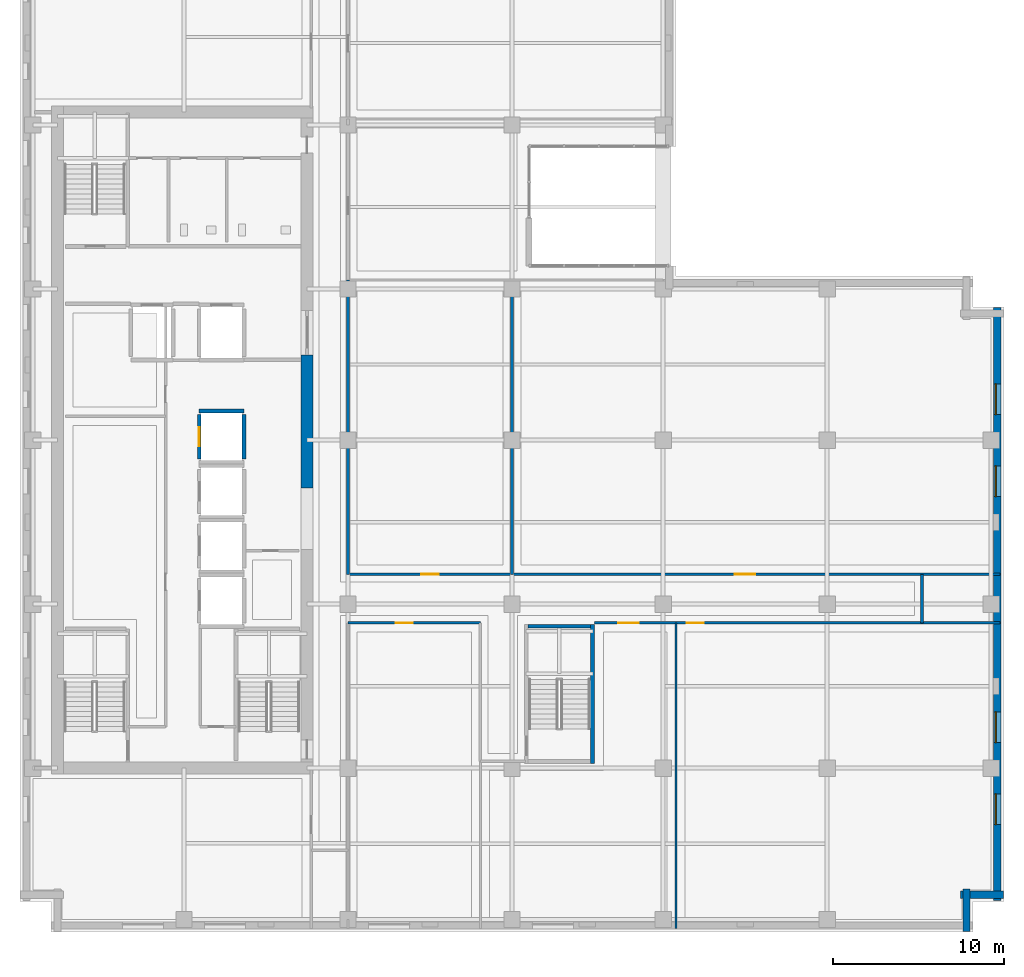
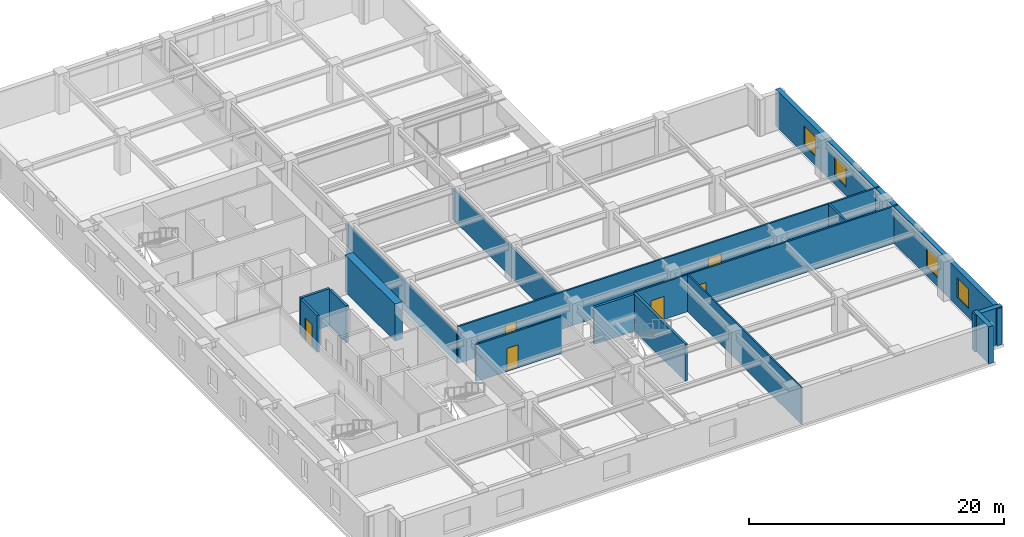
# One storey, part 5 of 13: 16 walls, 6 doors, 4 windows, 10 openings.
"""IFC4 building model written with IfcOpenShell, lengths in metres."""

from ifc_helpers import new_model, si_unit, direction, frame, frame_2d, origin, place, context, subcontext, project, spatial, rectangle, extrude, material, layer, layer_set, type_object, element, fill, save


model = new_model("IFC4")

# Units and contexts
model_context = context("Model", 3, precision=1e-05, world=origin(), true_north=direction((0.0, 1.0)))
body_context = subcontext(model_context, "Body", "Model", "MODEL_VIEW")
ifc_project = project(units=[si_unit("LENGTHUNIT", "METRE"), si_unit("AREAUNIT", "SQUARE_METRE"), si_unit("VOLUMEUNIT", "CUBIC_METRE"), si_unit("PLANEANGLEUNIT", "RADIAN"), si_unit("MASSUNIT", "GRAM", prefix="KILO")], contexts=[model_context])

# Site, building, storey
site_placement = place(None, origin())
site = spatial("IfcSite", under=ifc_project, at=site_placement, CompositionType="ELEMENT")
building_placement = place(site_placement, origin())
building = spatial("IfcBuilding", under=site, at=building_placement, Name="Norrvale University Quadrangle", CompositionType="ELEMENT")
storey_placement = place(building_placement, frame((0.0, 0.0, 171.199951171875)))
storey = spatial("IfcBuildingStorey", under=building, at=storey_placement, Name="L43", CompositionType="ELEMENT", Elevation=171.199951171875)

# Walls
ifc_material_1 = material(Name="Buff Norman Clay Brick Masonry", Category="masonry")
ifc_layer_1 = layer(ifc_material_1, 0.419921875, Name="Buff Norman Clay Brick Masonry")
ifc_layer_set_1 = layer_set([ifc_layer_1], Name="Buff Norman Clay Brick Masonry")
wall_type_1 = type_object("IfcWallType", Name="Wall Buff Brick 420", PredefinedType="SOLIDWALL", material=ifc_layer_set_1)
for number, where, z_axis, x_axis, name in (
    (1, (55.409912109375, 0.0400390625, 0.0), (0.0, 0.0, 1.0), (0.0, 1.0, 0.0), "Exterior Brick Facade Wall L43-02.1"),
    (2, (55.06005859375, 2.18994140625, 0.0), (0.0, 0.0, 1.0), (1.0, 0.0, 0.0), "Exterior Brick Facade Wall L43-03.1"),
):
    element("IfcWall", number, at=place(storey_placement, frame(where, z_axis=z_axis, x_axis=x_axis)), inside=storey, type_object=wall_type_1, Name=name, PredefinedType="SOLIDWALL", context=body_context, shape_type="SweptSolid", body=[
        extrude(rectangle(XDim=2.5, YDim=0.419921875, at=frame_2d((1.25, 0.0))), origin(), (0.0, 0.0, 1.0), 3.5400390625),
    ])

# Wall, openings, windows
wall_1_placement = place(storey_placement, frame((57.2099609375, 1.840087890625, 0.0), z_axis=(0.0, 0.0, 1.0), x_axis=(0.0, 1.0, 0.0)))
wall_1 = element("IfcWall", 3, at=wall_1_placement, inside=storey, type_object=wall_type_1, Name="Exterior Brick Facade Wall L43-04.1", PredefinedType="SOLIDWALL", context=body_context, shape_type="SweptSolid", body=[
    extrude(rectangle(XDim=34.719970703125, YDim=0.419921875, at=frame_2d((17.35986328125, 0.0))), origin(), (0.0, 0.0, 1.0), 3.5400390625),
])
opening_1_placement = place(wall_1_placement, frame((4.4599609375, 0.0, 0.85009765625)))
opening_1 = element("IfcOpeningElement", 4, at=opening_1_placement, cuts=wall_1, Name="Opening W01", PredefinedType="OPENING", context=body_context, shape_type="SweptSolid", body=[
    extrude(rectangle(XDim=1.800048828125, YDim=1.85009765625, at=frame_2d((0.89990234375, 0.925048828125))), frame((0.0, 0.221923828125, 0.0), z_axis=(0.0, -1.0, 0.0), x_axis=(1.0, 0.0, 0.0)), (0.0, 0.0, 1.0), 0.44384765625),
])
opening_2_placement = place(wall_1_placement, frame((9.260009765625, 0.0, 0.85009765625)))
opening_2 = element("IfcOpeningElement", 5, at=opening_2_placement, cuts=wall_1, Name="Opening W01", PredefinedType="OPENING", context=body_context, shape_type="SweptSolid", body=[
    extrude(rectangle(XDim=1.800048828125, YDim=1.85009765625, at=frame_2d((0.89990234375, 0.925048828125))), frame((0.0, 0.221923828125, 0.0), z_axis=(0.0, -1.0, 0.0), x_axis=(1.0, 0.0, 0.0)), (0.0, 0.0, 1.0), 0.44384765625),
])
opening_3_placement = place(wall_1_placement, frame((23.659912109375, 0.0, 0.85009765625)))
opening_3 = element("IfcOpeningElement", 6, at=opening_3_placement, cuts=wall_1, Name="Opening W01", PredefinedType="OPENING", context=body_context, shape_type="SweptSolid", body=[
    extrude(rectangle(XDim=1.800048828125, YDim=1.85009765625, at=frame_2d((0.89990234375, 0.925048828125))), frame((0.0, 0.221923828125, 0.0), z_axis=(0.0, -1.0, 0.0), x_axis=(1.0, 0.0, 0.0)), (0.0, 0.0, 1.0), 0.44384765625),
])
opening_4_placement = place(wall_1_placement, frame((28.4599609375, 0.0, 0.85009765625)))
opening_4 = element("IfcOpeningElement", 7, at=opening_4_placement, cuts=wall_1, Name="Opening W01", PredefinedType="OPENING", context=body_context, shape_type="SweptSolid", body=[
    extrude(rectangle(XDim=1.800048828125, YDim=1.85009765625, at=frame_2d((0.89990234375, 0.925048828125))), frame((0.0, 0.221923828125, 0.0), z_axis=(0.0, -1.0, 0.0), x_axis=(1.0, 0.0, 0.0)), (0.0, 0.0, 1.0), 0.44384765625),
])
ifc_material_2 = material(Name="Triple Low-E Argon Glazing", Category="glass")
window_type = type_object("IfcWindowType", Name="Window Academic 1800x2300", PartitioningType="DOUBLE_PANEL_VERTICAL", PredefinedType="WINDOW", material=ifc_material_2)
window_1_placement = place(opening_1_placement, origin())
window_1 = element("IfcWindow", 8, at=window_1_placement, inside=storey, type_object=window_type, Name="Window Academic 1800x2300 WIN-L43-E04-1-01", OverallHeight=1.85009765625, OverallWidth=1.800048828125, PartitioningType="DOUBLE_PANEL_VERTICAL", PredefinedType="WINDOW", context=body_context, shape_type="SweptSolid", body=[
    extrude(rectangle(XDim=1.800048828125, YDim=1.85009765625, at=frame_2d((0.89990234375, 0.925048828125))), frame((0.0, 0.110107421875, 0.0), z_axis=(0.0, -1.0, 0.0), x_axis=(1.0, 0.0, 0.0)), (0.0, 0.0, 1.0), 0.06005859375),
])
fill(opening_1, window_1)
window_2_placement = place(opening_2_placement, origin())
window_2 = element("IfcWindow", 9, at=window_2_placement, inside=storey, type_object=window_type, Name="Window Academic 1800x2300 WIN-L43-E04-1-02", OverallHeight=1.85009765625, OverallWidth=1.800048828125, PartitioningType="DOUBLE_PANEL_VERTICAL", PredefinedType="WINDOW", context=body_context, shape_type="SweptSolid", body=[
    extrude(rectangle(XDim=1.800048828125, YDim=1.85009765625, at=frame_2d((0.89990234375, 0.925048828125))), frame((0.0, 0.110107421875, 0.0), z_axis=(0.0, -1.0, 0.0), x_axis=(1.0, 0.0, 0.0)), (0.0, 0.0, 1.0), 0.06005859375),
])
fill(opening_2, window_2)
window_3_placement = place(opening_3_placement, origin())
window_3 = element("IfcWindow", 10, at=window_3_placement, inside=storey, type_object=window_type, Name="Window Academic 1800x2300 WIN-L43-E04-1-03", OverallHeight=1.85009765625, OverallWidth=1.800048828125, PartitioningType="DOUBLE_PANEL_VERTICAL", PredefinedType="WINDOW", context=body_context, shape_type="SweptSolid", body=[
    extrude(rectangle(XDim=1.800048828125, YDim=1.85009765625, at=frame_2d((0.89990234375, 0.925048828125))), frame((0.0, 0.110107421875, 0.0), z_axis=(0.0, -1.0, 0.0), x_axis=(1.0, 0.0, 0.0)), (0.0, 0.0, 1.0), 0.06005859375),
])
fill(opening_3, window_3)
window_4_placement = place(opening_4_placement, origin())
window_4 = element("IfcWindow", 11, at=window_4_placement, inside=storey, type_object=window_type, Name="Window Academic 1800x2300 WIN-L43-E04-1-04", OverallHeight=1.85009765625, OverallWidth=1.800048828125, PartitioningType="DOUBLE_PANEL_VERTICAL", PredefinedType="WINDOW", context=body_context, shape_type="SweptSolid", body=[
    extrude(rectangle(XDim=1.800048828125, YDim=1.85009765625, at=frame_2d((0.89990234375, 0.925048828125))), frame((0.0, 0.110107421875, 0.0), z_axis=(0.0, -1.0, 0.0), x_axis=(1.0, 0.0, 0.0)), (0.0, 0.0, 1.0), 0.06005859375),
])
fill(opening_4, window_4)

# Walls
ifc_material_3 = material(Name="Concrete C60/75", Category="concrete")
ifc_layer_2 = layer(ifc_material_3, 0.699951171875, Name="Concrete C60/75")
ifc_layer_set_2 = layer_set([ifc_layer_2], Name="Concrete C60/75")
wall_type_2 = type_object("IfcWallType", Name="Wall Core 700", PredefinedType="SHEAR", material=ifc_layer_set_2)
wall_2_placement = place(storey_placement, frame((16.800048828125, 26.0, 0.0), z_axis=(0.0, 0.0, 1.0), x_axis=(0.0, 1.0, 0.0)))
element("IfcWall", 12, at=wall_2_placement, inside=storey, type_object=wall_type_2, Name="Tower Core Shear Wall L43-E2", PredefinedType="SHEAR", context=body_context, shape_type="SweptSolid", body=[
    extrude(rectangle(XDim=7.800048828125, YDim=0.699951171875, at=frame_2d((3.89990234375, 0.0))), origin(), (0.0, 0.0, 1.0), 3.5400390625),
])
ifc_material_4 = material(Name="Standard Academic Gypsum Partition")
ifc_layer_3 = layer(ifc_material_4, 0.125, Name="Standard Academic Gypsum Partition")
ifc_layer_set_3 = layer_set([ifc_layer_3], Name="Standard Academic Gypsum Partition")
wall_type_3 = type_object("IfcWallType", Name="Wall Gypsum Academic 125", PredefinedType="PARTITIONING", material=ifc_layer_set_3)
wall_3_placement = place(storey_placement, frame((38.39990234375, 0.219970703125, 0.0), z_axis=(0.0, 0.0, 1.0), x_axis=(0.0, 1.0, 0.0)))
element("IfcWall", 13, at=wall_3_placement, inside=storey, type_object=wall_type_3, Name="Interior Partition WL-L43-SEP2", PredefinedType="PARTITIONING", context=body_context, shape_type="SweptSolid", body=[
    extrude(rectangle(XDim=17.880126953125, YDim=0.125, at=frame_2d((8.93994140625, 0.0))), origin(), (0.0, 0.0, 1.0), 3.5400390625),
])
ifc_material_5 = material(Name="Fire-Rated Gypsum Stud Partition")
ifc_layer_4 = layer(ifc_material_5, 0.14990234375, Name="Fire-Rated Gypsum Stud Partition")
ifc_layer_set_4 = layer_set([ifc_layer_4], Name="Fire-Rated Gypsum Stud Partition")
wall_type_4 = type_object("IfcWallType", Name="Wall Gypsum Corridor 150", PredefinedType="PARTITIONING", material=ifc_layer_set_4)
wall_4_placement = place(storey_placement, frame((52.800048828125, 18.10009765625, 0.0), z_axis=(0.0, 0.0, 1.0), x_axis=(0.0, 1.0, 0.0)))
element("IfcWall", 14, at=wall_4_placement, inside=storey, type_object=wall_type_4, Name="Interior Partition WL-L43-CESP-E", PredefinedType="PARTITIONING", context=body_context, shape_type="SweptSolid", body=[
    extrude(rectangle(XDim=2.849853515625, YDim=0.14990234375, at=frame_2d((1.4248046875, 0.0))), origin(), (0.0, 0.0, 1.0), 3.5400390625),
])

# Wall, opening, door
wall_5_placement = place(storey_placement, frame((19.199951171875, 18.10009765625, 0.0), z_axis=(0.0, 0.0, 1.0), x_axis=(1.0, 0.0, 0.0)))
wall_5 = element("IfcWall", 15, at=wall_5_placement, inside=storey, type_object=wall_type_4, Name="Interior Partition WL-L43-SEW1", PredefinedType="PARTITIONING", context=body_context, shape_type="SweptSolid", body=[
    extrude(rectangle(XDim=7.75, YDim=0.14990234375, at=frame_2d((3.875, 0.0))), origin(), (0.0, 0.0, 1.0), 3.5400390625),
])
opening_5_placement = place(wall_5_placement, frame((2.800048828125, 0.0, 0.0)))
opening_5 = element("IfcOpeningElement", 16, at=opening_5_placement, cuts=wall_5, Name="Opening D04", PredefinedType="OPENING", context=body_context, shape_type="SweptSolid", body=[
    extrude(rectangle(XDim=1.0, YDim=2.199951171875, at=frame_2d((0.5, 1.10009765625))), frame((0.0, 0.0869140625, 0.0), z_axis=(0.0, -1.0, 0.0), x_axis=(1.0, 0.0, 0.0)), (0.0, 0.0, 1.0), 0.173828125),
])
ifc_material_6 = material(Name="Solid-Core Oak Fire Door", Category="wood")
door_type_1 = type_object("IfcDoorType", Name="Door Corridor 1000x2200", OperationType="NOTDEFINED", PredefinedType="DOOR", material=ifc_material_6)
door_1_placement = place(opening_5_placement, origin())
door_1 = element("IfcDoor", 17, at=door_1_placement, inside=storey, type_object=door_type_1, Name="Door Corridor 1000x2200 DR-L43-SE1", OperationType="SINGLE_SWING_LEFT", OverallHeight=2.199951171875, OverallWidth=1.0, PredefinedType="DOOR", context=body_context, shape_type="SweptSolid", body=[
    extrude(rectangle(XDim=1.0, YDim=2.199951171875, at=frame_2d((0.5, 1.10009765625))), frame((0.0, 0.02490234375, 0.0), z_axis=(0.0, -1.0, 0.0), x_axis=(1.0, 0.0, 0.0)), (0.0, 0.0, 1.0), 0.050048828125),
])
fill(opening_5, door_1)

# Wall, openings, doors
wall_6_placement = place(storey_placement, frame((33.6201171875, 18.10009765625, 0.0), z_axis=(0.0, 0.0, 1.0), x_axis=(1.0, 0.0, 0.0)))
wall_6 = element("IfcWall", 18, at=wall_6_placement, inside=storey, type_object=wall_type_4, Name="Interior Partition WL-L43-SEW2", PredefinedType="PARTITIONING", context=body_context, shape_type="SweptSolid", body=[
    extrude(rectangle(XDim=23.759765625, YDim=0.14990234375, at=frame_2d((11.8798828125, 0.0))), origin(), (0.0, 0.0, 1.0), 3.5400390625),
])
opening_6_placement = place(wall_6_placement, frame((1.39990234375, 0.0, 0.0)))
opening_6 = element("IfcOpeningElement", 19, at=opening_6_placement, cuts=wall_6, Name="Opening D05", PredefinedType="OPENING", context=body_context, shape_type="SweptSolid", body=[
    extrude(rectangle(XDim=1.199951171875, YDim=2.199951171875, at=frame_2d((0.60009765625, 1.10009765625))), frame((0.0, 0.0869140625, 0.0), z_axis=(0.0, -1.0, 0.0), x_axis=(1.0, 0.0, 0.0)), (0.0, 0.0, 1.0), 0.173828125),
])
opening_7_placement = place(wall_6_placement, frame((5.39990234375, 0.0, 0.0)))
opening_7 = element("IfcOpeningElement", 20, at=opening_7_placement, cuts=wall_6, Name="Opening D04", PredefinedType="OPENING", context=body_context, shape_type="SweptSolid", body=[
    extrude(rectangle(XDim=1.0, YDim=2.199951171875, at=frame_2d((0.5, 1.10009765625))), frame((0.0, 0.0869140625, 0.0), z_axis=(0.0, -1.0, 0.0), x_axis=(1.0, 0.0, 0.0)), (0.0, 0.0, 1.0), 0.173828125),
])
ifc_material_7 = material(Name="Acoustic Oak Classroom Door", Category="wood")
door_type_2 = type_object("IfcDoorType", Name="Door Classroom 1200x2200", OperationType="NOTDEFINED", PredefinedType="DOOR", material=ifc_material_7)
door_2_placement = place(opening_6_placement, origin())
door_2 = element("IfcDoor", 21, at=door_2_placement, inside=storey, type_object=door_type_2, Name="Door Classroom 1200x2200 DR-L43-SE2", OperationType="SINGLE_SWING_RIGHT", OverallHeight=2.199951171875, OverallWidth=1.199951171875, PredefinedType="DOOR", context=body_context, shape_type="SweptSolid", body=[
    extrude(rectangle(XDim=1.199951171875, YDim=2.199951171875, at=frame_2d((0.60009765625, 1.10009765625))), frame((0.0, 0.02490234375, 0.0), z_axis=(0.0, -1.0, 0.0), x_axis=(1.0, 0.0, 0.0)), (0.0, 0.0, 1.0), 0.050048828125),
])
fill(opening_6, door_2)
door_3_placement = place(opening_7_placement, origin())
door_3 = element("IfcDoor", 22, at=door_3_placement, inside=storey, type_object=door_type_1, Name="Door Corridor 1000x2200 DR-L43-SE3", OperationType="SINGLE_SWING_LEFT", OverallHeight=2.199951171875, OverallWidth=1.0, PredefinedType="DOOR", context=body_context, shape_type="SweptSolid", body=[
    extrude(rectangle(XDim=1.0, YDim=2.199951171875, at=frame_2d((0.5, 1.10009765625))), frame((0.0, 0.02490234375, 0.0), z_axis=(0.0, -1.0, 0.0), x_axis=(1.0, 0.0, 0.0)), (0.0, 0.0, 1.0), 0.050048828125),
])
fill(opening_7, door_3)

wall_7_placement = place(storey_placement, frame((19.199951171875, 20.949951171875, 0.0), z_axis=(0.0, 0.0, 1.0), x_axis=(1.0, 0.0, 0.0)))
wall_7 = element("IfcWall", 23, at=wall_7_placement, inside=storey, type_object=wall_type_4, Name="Interior Partition WL-L43-MECW", PredefinedType="PARTITIONING", context=body_context, shape_type="SweptSolid", body=[
    extrude(rectangle(XDim=38.179931640625, YDim=0.14990234375, at=frame_2d((19.08984375, 0.0))), origin(), (0.0, 0.0, 1.0), 3.5400390625),
])
opening_8_placement = place(wall_7_placement, frame((4.300048828125, 0.0, 0.0)))
opening_8 = element("IfcOpeningElement", 24, at=opening_8_placement, cuts=wall_7, Name="Opening D04", PredefinedType="OPENING", context=body_context, shape_type="SweptSolid", body=[
    extrude(rectangle(XDim=1.0, YDim=2.199951171875, at=frame_2d((0.5, 1.10009765625))), frame((0.0, 0.0869140625, 0.0), z_axis=(0.0, -1.0, 0.0), x_axis=(1.0, 0.0, 0.0)), (0.0, 0.0, 1.0), 0.173828125),
])
opening_9_placement = place(wall_7_placement, frame((22.64990234375, 0.0, 0.0)))
opening_9 = element("IfcOpeningElement", 25, at=opening_9_placement, cuts=wall_7, Name="Opening D05", PredefinedType="OPENING", context=body_context, shape_type="SweptSolid", body=[
    extrude(rectangle(XDim=1.199951171875, YDim=2.199951171875, at=frame_2d((0.60009765625, 1.10009765625))), frame((0.0, 0.0869140625, 0.0), z_axis=(0.0, -1.0, 0.0), x_axis=(1.0, 0.0, 0.0)), (0.0, 0.0, 1.0), 0.173828125),
])
door_4_placement = place(opening_9_placement, origin())
door_4 = element("IfcDoor", 26, at=door_4_placement, inside=storey, type_object=door_type_2, Name="Door Classroom 1200x2200 DR-L43-ME02", OperationType="SINGLE_SWING_RIGHT", OverallHeight=2.199951171875, OverallWidth=1.199951171875, PredefinedType="DOOR", context=body_context, shape_type="SweptSolid", body=[
    extrude(rectangle(XDim=1.199951171875, YDim=2.199951171875, at=frame_2d((0.60009765625, 1.10009765625))), frame((0.0, 0.02490234375, 0.0), z_axis=(0.0, -1.0, 0.0), x_axis=(1.0, 0.0, 0.0)), (0.0, 0.0, 1.0), 0.050048828125),
])
fill(opening_9, door_4)
door_5_placement = place(opening_8_placement, origin())
door_5 = element("IfcDoor", 27, at=door_5_placement, inside=storey, type_object=door_type_1, Name="Door Corridor 1000x2200 DR-L43-ME01", OperationType="SINGLE_SWING_LEFT", OverallHeight=2.199951171875, OverallWidth=1.0, PredefinedType="DOOR", context=body_context, shape_type="SweptSolid", body=[
    extrude(rectangle(XDim=1.0, YDim=2.199951171875, at=frame_2d((0.5, 1.10009765625))), frame((0.0, 0.02490234375, 0.0), z_axis=(0.0, -1.0, 0.0), x_axis=(1.0, 0.0, 0.0)), (0.0, 0.0, 1.0), 0.050048828125),
])
fill(opening_8, door_5)

# Walls
wall_8_placement = place(storey_placement, frame((19.199951171875, 20.949951171875, 0.0), z_axis=(0.0, 0.0, 1.0), x_axis=(0.0, 1.0, 0.0)))
element("IfcWall", 28, at=wall_8_placement, inside=storey, type_object=wall_type_4, Name="Interior Partition WL-L43-ME-W", PredefinedType="PARTITIONING", context=body_context, shape_type="SweptSolid", body=[
    extrude(rectangle(XDim=17.22998046875, YDim=0.14990234375, at=frame_2d((8.614990234375, 0.0))), origin(), (0.0, 0.0, 1.0), 2.923095703125),
])
ifc_material_8 = material(Name="Acoustic Double-Stud Gypsum Partition")
ifc_layer_5 = layer(ifc_material_8, 0.179931640625, Name="Acoustic Double-Stud Gypsum Partition")
ifc_layer_set_5 = layer_set([ifc_layer_5], Name="Acoustic Double-Stud Gypsum Partition")
wall_type_5 = type_object("IfcWallType", Name="Wall Gypsum Lecture 180", PredefinedType="PARTITIONING", material=ifc_layer_set_5)
wall_9_placement = place(storey_placement, frame((28.800048828125, 20.949951171875, 0.0), z_axis=(0.0, 0.0, 1.0), x_axis=(0.0, 1.0, 0.0)))
element("IfcWall", 29, at=wall_9_placement, inside=storey, type_object=wall_type_5, Name="Interior Partition WL-L43-MEP01", PredefinedType="PARTITIONING", context=body_context, shape_type="SweptSolid", body=[
    extrude(rectangle(XDim=17.22998046875, YDim=0.179931640625, at=frame_2d((8.614990234375, 0.0))), origin(), (0.0, 0.0, 1.0), 2.923095703125),
])
ifc_material_9 = material(Name="Concrete Blockwork 20 MPa Fire Shaft", Category="masonry")
ifc_layer_6 = layer(ifc_material_9, 0.219970703125, Name="Concrete Blockwork 20 MPa Fire Shaft")
ifc_layer_set_6 = layer_set([ifc_layer_6], Name="Concrete Blockwork 20 MPa Fire Shaft")
wall_type_6 = type_object("IfcWallType", Name="Wall Shaft 220", PredefinedType="SOLIDWALL", material=ifc_layer_set_6)
wall_10_placement = place(storey_placement, frame((33.510009765625, 9.8798828125, 0.0), z_axis=(0.0, 0.0, 1.0), x_axis=(0.0, 1.0, 0.0)))
element("IfcWall", 30, at=wall_10_placement, inside=storey, type_object=wall_type_6, Name="Stair ST-04 East Shaft Wall L43", PredefinedType="SOLIDWALL", context=body_context, shape_type="SweptSolid", body=[
    extrude(rectangle(XDim=8.14013671875, YDim=0.219970703125, at=frame_2d((4.070068359375, 0.0))), origin(), (0.0, 0.0, 1.0), 3.5400390625),
])
wall_11_placement = place(storey_placement, frame((29.75, 17.909912109375, 0.0), z_axis=(0.0, 0.0, 1.0), x_axis=(1.0, 0.0, 0.0)))
element("IfcWall", 31, at=wall_11_placement, inside=storey, type_object=wall_type_6, Name="Stair ST-04 North Shaft Wall L43", PredefinedType="SOLIDWALL", context=body_context, shape_type="SweptSolid", body=[
    extrude(rectangle(XDim=3.64990234375, YDim=0.219970703125, at=frame_2d((1.824951171875, 0.0))), origin(), (0.0, 0.0, 1.0), 3.5400390625),
])

# Wall, opening, door
wall_12_placement = place(storey_placement, frame((10.489990234375, 27.7099609375, 0.0), z_axis=(0.0, 0.0, 1.0), x_axis=(0.0, 1.0, 0.0)))
wall_12 = element("IfcWall", 32, at=wall_12_placement, inside=storey, type_object=wall_type_6, Name="Hoistway PL-08 West Wall L43", PredefinedType="SOLIDWALL", context=body_context, shape_type="SweptSolid", body=[
    extrude(rectangle(XDim=2.580078125, YDim=0.219970703125, at=frame_2d((1.2900390625, 0.0))), origin(), (0.0, 0.0, 1.0), 3.5400390625),
])
opening_10_placement = place(wall_12_placement, frame((0.739990234375, 0.0, 0.0)))
opening_10 = element("IfcOpeningElement", 33, at=opening_10_placement, cuts=wall_12, Name="Opening LD1", PredefinedType="OPENING", context=body_context, shape_type="SweptSolid", body=[
    extrude(rectangle(XDim=1.10009765625, YDim=2.199951171875, at=frame_2d((0.550048828125, 1.10009765625))), frame((0.0, 0.1220703125, 0.0), z_axis=(0.0, -1.0, 0.0), x_axis=(1.0, 0.0, 0.0)), (0.0, 0.0, 1.0), 0.243896484375),
])
ifc_material_10 = material(Name="Stainless Steel 316L Lift Landing Door", Category="steel")
door_type_3 = type_object("IfcDoorType", Name="Door Lift Landing 1100x2200", OperationType="DOUBLE_DOOR_SLIDING", PredefinedType="DOOR", material=ifc_material_10)
door_6_placement = place(opening_10_placement, origin())
door_6 = element("IfcDoor", 34, at=door_6_placement, inside=storey, type_object=door_type_3, Name="Elevator Landing Door DR-L43-PL-08", OperationType="DOUBLE_DOOR_SLIDING", OverallHeight=2.199951171875, OverallWidth=1.10009765625, PredefinedType="DOOR", context=body_context, shape_type="SweptSolid", body=[
    extrude(rectangle(XDim=1.10009765625, YDim=2.199951171875, at=frame_2d((0.550048828125, 1.10009765625))), frame((0.0, 0.02490234375, 0.0), z_axis=(0.0, -1.0, 0.0), x_axis=(1.0, 0.0, 0.0)), (0.0, 0.0, 1.0), 0.050048828125),
])
fill(opening_10, door_6)

# Walls
wall_13_placement = place(storey_placement, frame((13.110107421875, 27.7099609375, 0.0), z_axis=(0.0, 0.0, 1.0), x_axis=(0.0, 1.0, 0.0)))
element("IfcWall", 35, at=wall_13_placement, inside=storey, type_object=wall_type_6, Name="Hoistway PL-08 East Wall L43", PredefinedType="SOLIDWALL", context=body_context, shape_type="SweptSolid", body=[
    extrude(rectangle(XDim=2.580078125, YDim=0.219970703125, at=frame_2d((1.2900390625, 0.0))), origin(), (0.0, 0.0, 1.0), 3.5400390625),
])
wall_14_placement = place(storey_placement, frame((10.489990234375, 30.510009765625, 0.0), z_axis=(0.0, 0.0, 1.0), x_axis=(1.0, 0.0, 0.0)))
element("IfcWall", 36, at=wall_14_placement, inside=storey, type_object=wall_type_6, Name="Hoistway PL-08 North Wall L43", PredefinedType="SOLIDWALL", context=body_context, shape_type="SweptSolid", body=[
    extrude(rectangle(XDim=2.6201171875, YDim=0.219970703125, at=frame_2d((1.31005859375, 0.0))), origin(), (0.0, 0.0, 1.0), 3.5400390625),
])

save(model, "model.ifc")
